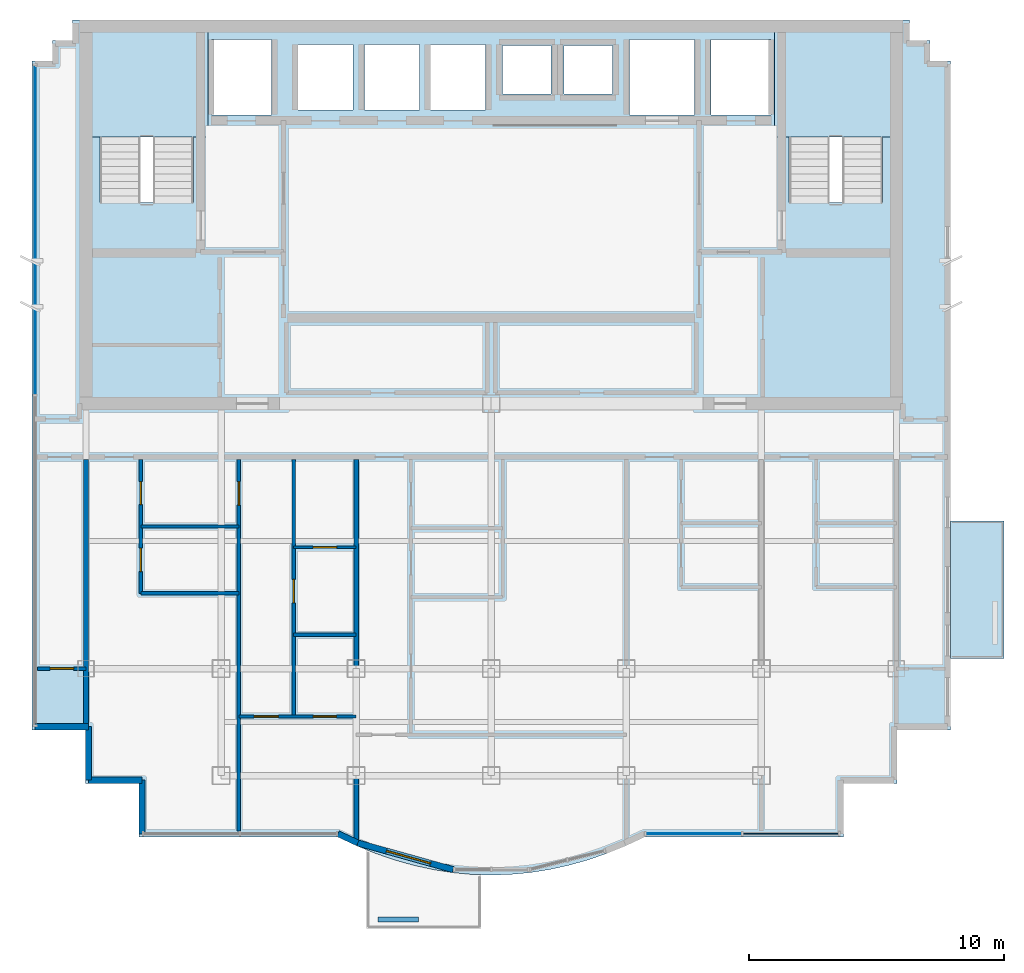
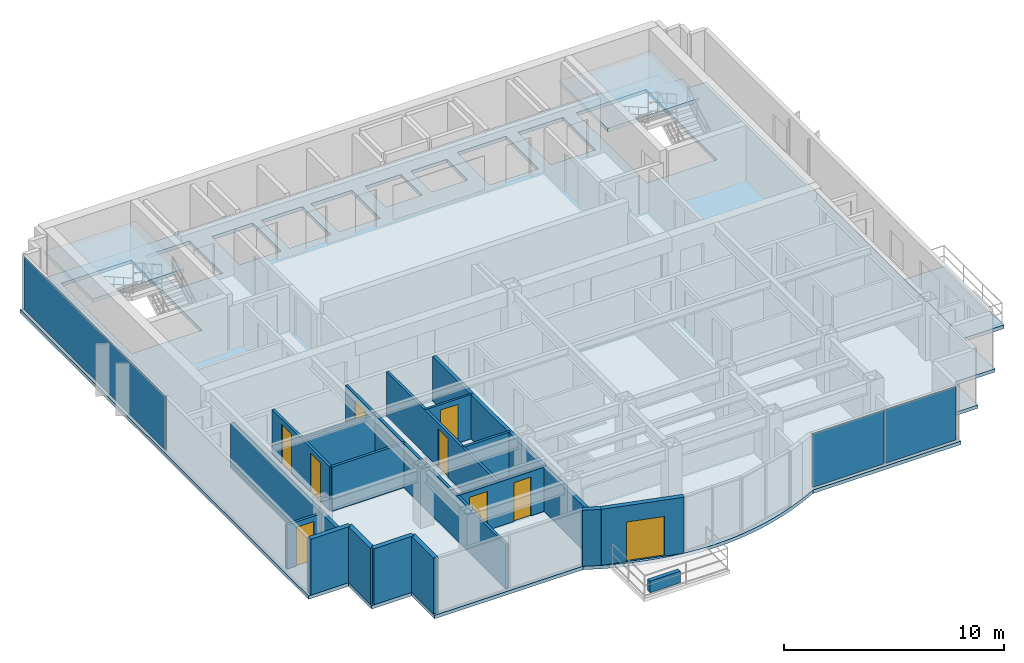
# One storey, part 4 of 9: 18 walls, 9 doors, 4 slabs, 3 plates, 9 openings, 4 elements without a shape of their own.
"""IFC4 building model written with IfcOpenShell, lengths in metres."""

from ifc_helpers import new_model, si_unit, direction, frame, frame_2d, origin, origin_2d, place, context, subcontext, project, spatial, polyline, rectangle, outline, extrude, source, transform, mapped, material, layer, layer_set, type_object, element, fill, aggregate, save


model = new_model("IFC4")

# Units and contexts
model_context = context("Model", 3, precision=1e-05, world=origin(), true_north=direction((0.0, 1.0)))
body_context = subcontext(model_context, "Body", "Model", "MODEL_VIEW")
ifc_project = project(units=[si_unit("LENGTHUNIT", "METRE"), si_unit("AREAUNIT", "SQUARE_METRE"), si_unit("VOLUMEUNIT", "CUBIC_METRE"), si_unit("PLANEANGLEUNIT", "RADIAN"), si_unit("MASSUNIT", "GRAM", prefix="KILO")], contexts=[model_context])

# Site, building, storey
site_placement = place(None, origin())
site = spatial("IfcSite", under=ifc_project, at=site_placement, CompositionType="ELEMENT")
building_placement = place(site_placement, origin())
building = spatial("IfcBuilding", under=site, at=building_placement, Name="Qianlan Lanfeng Residences", CompositionType="ELEMENT")
storey_placement = place(building_placement, frame((0.0, 0.0, 242.89990234375)))
storey = spatial("IfcBuildingStorey", under=building, at=storey_placement, Name="L67", CompositionType="ELEMENT", Elevation=242.89990234375)

# Slabs
ifc_material_1 = material(Name="Concrete C42", Category="concrete")
ifc_layer_1 = layer(ifc_material_1, 0.199951171875)
ifc_layer_set_1 = layer_set([ifc_layer_1], Name="Concrete C42")
slab_type_1 = type_object("IfcSlabType", Name="S-BAL-200", PredefinedType="FLOOR", material=ifc_layer_set_1)
slab_1_placement = place(storey_placement, frame((0.0, 0.0, -0.199951171875)))
element("IfcSlab", 1, at=slab_1_placement, inside=storey, type_object=slab_type_1, Name="L67 Planted Tree Balcony Slab EB-S", PredefinedType="FLOOR", context=body_context, shape_type="SweptSolid", body=[
    extrude(outline(polyline([(44.52001953125, 20.60009765625), (44.52001953125, 15.199951171875), (46.6201171875, 15.199951171875), (46.6201171875, 20.60009765625), (44.52001953125, 20.60009765625)])), origin(), (0.0, 0.0, 1.0), 0.199951171875),
])
ifc_layer_2 = layer(ifc_material_1, 0.18994140625)
ifc_layer_set_2 = layer_set([ifc_layer_2], Name="Concrete C42")
slab_type_2 = type_object("IfcSlabType", Name="S-FL-190", PredefinedType="FLOOR", material=ifc_layer_set_2)
slab_2_placement = place(storey_placement, frame((0.0, 0.0, -0.18994140625)))
element("IfcSlab", 2, at=slab_2_placement, inside=storey, type_object=slab_type_2, Name="L67 Structural Floor Slab", PredefinedType="FLOOR", context=body_context, shape_type="SweptSolid", body=[
    extrude(outline(polyline([(8.47998046875, 12.39990234375), (10.580078125, 12.39990234375), (10.580078125, 10.300048828125), (12.679931640625, 10.300048828125), (12.679931640625, 8.199951171875), (20.4599609375, 8.199951171875), (21.215087890625, 7.847900390625), (21.969970703125, 7.5439453125), (22.72509765625, 7.285888671875), (23.47998046875, 7.074951171875), (24.235107421875, 6.910888671875), (24.989990234375, 6.7939453125), (25.7451171875, 6.722900390625), (26.5, 6.699951171875), (27.2548828125, 6.722900390625), (28.010009765625, 6.7939453125), (28.764892578125, 6.910888671875), (29.52001953125, 7.074951171875), (30.27490234375, 7.285888671875), (31.030029296875, 7.5439453125), (31.784912109375, 7.847900390625), (32.5400390625, 8.199951171875), (40.320068359375, 8.199951171875), (40.320068359375, 10.300048828125), (42.419921875, 10.300048828125), (42.419921875, 12.39990234375), (44.52001953125, 12.39990234375), (44.52001953125, 38.64990234375), (43.719970703125, 38.64990234375), (43.719970703125, 39.449951171875), (42.919921875, 39.449951171875), (42.919921875, 40.25), (10.080078125, 40.25), (10.080078125, 39.449951171875), (9.280029296875, 39.449951171875), (9.280029296875, 38.64990234375), (8.47998046875, 38.64990234375), (8.47998046875, 12.39990234375)]), holes=[polyline([(11.139892578125, 33.080078125), (11.139892578125, 39.5), (14.820068359375, 39.5), (14.820068359375, 33.080078125), (11.139892578125, 33.080078125)]), polyline([(38.179931640625, 33.080078125), (38.179931640625, 39.5), (41.860107421875, 39.5), (41.860107421875, 33.080078125), (38.179931640625, 33.080078125)]), polyline([(15.52001953125, 36.52001953125), (15.52001953125, 39.47998046875), (17.8798828125, 39.47998046875), (17.8798828125, 36.52001953125), (15.52001953125, 36.52001953125)]), polyline([(35.1201171875, 36.52001953125), (35.1201171875, 39.47998046875), (37.47998046875, 39.47998046875), (37.47998046875, 36.52001953125), (35.1201171875, 36.52001953125)]), polyline([(31.919921875, 36.52001953125), (31.919921875, 39.47998046875), (34.47998046875, 39.47998046875), (34.47998046875, 36.52001953125), (31.919921875, 36.52001953125)]), polyline([(18.919921875, 36.719970703125), (18.919921875, 39.280029296875), (21.080078125, 39.280029296875), (21.080078125, 36.719970703125), (18.919921875, 36.719970703125)]), polyline([(21.52001953125, 36.719970703125), (21.52001953125, 39.280029296875), (23.679931640625, 39.280029296875), (23.679931640625, 36.719970703125), (21.52001953125, 36.719970703125)]), polyline([(24.1201171875, 36.719970703125), (24.1201171875, 39.280029296875), (26.280029296875, 39.280029296875), (26.280029296875, 36.719970703125), (24.1201171875, 36.719970703125)]), polyline([(26.949951171875, 37.35009765625), (26.949951171875, 39.25), (28.85009765625, 39.25), (28.85009765625, 37.35009765625), (26.949951171875, 37.35009765625)]), polyline([(29.35009765625, 37.35009765625), (29.35009765625, 39.25), (31.25, 39.25), (31.25, 37.35009765625), (29.35009765625, 37.35009765625)])]), origin(), (0.0, 0.0, 1.0), 0.18994140625),
])

# Stair, slab
stair_type = type_object("IfcStairType", Name="STR-MAIN", PredefinedType="HALF_TURN_STAIR", material=ifc_material_1)
stair_1_placement = place(storey_placement, origin())
stair_1 = element("IfcStair", 3, at=stair_1_placement, inside=storey, type_object=stair_type, Name="L67 Exit Stair ST-1", PredefinedType="HALF_TURN_STAIR")
ifc_layer_3 = layer(ifc_material_1, 0.179931640625)
ifc_layer_set_3 = layer_set([ifc_layer_3], Name="Concrete C42")
slab_type_3 = type_object("IfcSlabType", Name="S-LND-180", PredefinedType="LANDING", material=ifc_layer_set_3)
slab_3_placement = place(storey_placement, frame((0.0, 0.0, 1.4501953125)))
slab_3 = element("IfcSlab", 4, at=slab_3_placement, type_object=slab_type_3, Name="ST-1 landing 1", PredefinedType="LANDING", context=body_context, shape_type="SweptSolid", body=[
    extrude(outline(polyline([(10.580078125, 35.659912109375), (15.3798828125, 35.659912109375), (15.3798828125, 40.050048828125), (10.580078125, 40.050048828125), (10.580078125, 35.659912109375)])), origin(), (0.0, 0.0, 1.0), 0.199951171875),
])
aggregate(stair_1, [slab_3])

stair_2_placement = place(storey_placement, origin())
stair_2 = element("IfcStair", 5, at=stair_2_placement, inside=storey, type_object=stair_type, Name="L67 Exit Stair ST-2", PredefinedType="HALF_TURN_STAIR")
slab_4_placement = place(storey_placement, frame((0.0, 0.0, 1.4501953125)))
slab_4 = element("IfcSlab", 6, at=slab_4_placement, type_object=slab_type_3, Name="ST-2 landing 1", PredefinedType="LANDING", context=body_context, shape_type="SweptSolid", body=[
    extrude(outline(polyline([(37.6201171875, 35.659912109375), (42.419921875, 35.659912109375), (42.419921875, 40.050048828125), (37.6201171875, 40.050048828125), (37.6201171875, 35.659912109375)])), origin(), (0.0, 0.0, 1.0), 0.199951171875),
])
aggregate(stair_2, [slab_4])

# Curtain wall, plates
ifc_material_2 = material(Name="Anodised Bronze Aluminium 6063-T6", Category="aluminium")
ifc_layer_4 = layer(ifc_material_2, 0.219970703125)
ifc_layer_set_4 = layer_set([ifc_layer_4], Name="Anodised Bronze Aluminium 6063-T6")
curtain_wall_type = type_object("IfcCurtainWallType", Name="CW-06", PredefinedType="NOTDEFINED", material=ifc_layer_set_4)
curtain_wall_1_placement = place(storey_placement, origin())
curtain_wall_1 = element("IfcCurtainWall", 7, at=curtain_wall_1_placement, inside=storey, type_object=curtain_wall_type, Name="L67 Unitised Curtain Wall CWR-L67-04 (CW-06)", PredefinedType="NOTDEFINED")
ifc_material_3 = material(Name="Dark Bronze Tinted Insulated Glass", Category="glass")
ifc_layer_5 = layer(ifc_material_3, 0.0380859375)
ifc_layer_set_5 = layer_set([ifc_layer_5], Name="Dark Bronze Tinted Insulated Glass")
plate_type_1 = type_object("IfcPlateType", Name="PNL-GLZ-BRZ", PredefinedType="CURTAIN_PANEL", material=ifc_layer_set_5)
shared_shape_1 = source(origin(), body_context, "Body", "SweptSolid", [
    extrude(rectangle(XDim=3.73291015625, YDim=0.0380859375, at=origin_2d()), origin(), (0.0, 0.0, 1.0), 2.9619140625),
])
plate_1_placement = place(storey_placement, frame((34.45361328125, 8.320068359375, 0.07421875), z_axis=(0.0, 0.0, 1.0), x_axis=(1.0, 0.0, 0.0)))
plate_1 = element("IfcPlate", 8, at=plate_1_placement, type_object=plate_type_1, Name="CWR-L67-04 Curtain Panel 1", PredefinedType="CURTAIN_PANEL", context=body_context, shape_type="MappedRepresentation", body=[
    mapped(shared_shape_1, transform((0.0, 0.0, 0.0), scale=1.0)),
])
ifc_material_4 = material(Name="Perforated Anodised Bronze Aluminium Panel", Category="aluminium")
ifc_layer_6 = layer(ifc_material_4, 0.0419921875)
ifc_layer_set_6 = layer_set([ifc_layer_6], Name="Perforated Anodised Bronze Aluminium Panel")
plate_type_2 = type_object("IfcPlateType", Name="PNL-PRF-BRZ", PredefinedType="CURTAIN_PANEL", material=ifc_layer_set_6)
shared_shape_2 = source(origin(), body_context, "Body", "SweptSolid", [
    extrude(rectangle(XDim=3.73291015625, YDim=0.0419921875, at=origin_2d()), origin(), (0.0, 0.0, 1.0), 2.9619140625),
])
plate_2_placement = place(storey_placement, frame((38.259521484375, 8.320068359375, 0.07421875), z_axis=(0.0, 0.0, 1.0), x_axis=(1.0, 0.0, 0.0)))
plate_2 = element("IfcPlate", 9, at=plate_2_placement, type_object=plate_type_2, Name="CWR-L67-04 Curtain Panel 2", PredefinedType="CURTAIN_PANEL", context=body_context, shape_type="MappedRepresentation", body=[
    mapped(shared_shape_2, transform((0.0, 0.0, 0.0), scale=1.0)),
])
aggregate(curtain_wall_1, [plate_1, plate_2])

# Curtain wall, plate
curtain_wall_2_placement = place(storey_placement, origin())
curtain_wall_2 = element("IfcCurtainWall", 10, at=curtain_wall_2_placement, inside=storey, type_object=curtain_wall_type, Name="L67 Unitised Curtain Wall CWR-L67-05 (CW-06)", PredefinedType="NOTDEFINED")
shared_shape_3 = source(origin(), body_context, "Body", "SweptSolid", [
    extrude(rectangle(XDim=12.89453125, YDim=0.0380859375, at=origin_2d()), origin(), (0.0, 0.0, 1.0), 2.9619140625),
])
plate_3_placement = place(storey_placement, frame((8.60009765625, 32.0087890625, 0.07421875), z_axis=(0.0, 0.0, 1.0), x_axis=(0.0, -1.0, 0.0)))
plate_3 = element("IfcPlate", 11, at=plate_3_placement, type_object=plate_type_1, Name="CWR-L67-05 Curtain Panel 1", PredefinedType="CURTAIN_PANEL", context=body_context, shape_type="MappedRepresentation", body=[
    mapped(shared_shape_3, transform((0.0, 0.0, 0.0), scale=1.0)),
])
aggregate(curtain_wall_2, [plate_3])

# Walls
ifc_layer_7 = layer(ifc_material_1, 0.239990234375)
ifc_layer_set_7 = layer_set([ifc_layer_7], Name="Concrete C42")
wall_type_1 = type_object("IfcWallType", Name="EW-240", PredefinedType="SOLIDWALL", material=ifc_layer_set_7)
wall_1_placement = place(storey_placement, frame((8.60009765625, 12.52001953125, 0.0), z_axis=(0.0, 0.0, 1.0), x_axis=(1.0, 0.0, 0.0)))
element("IfcWall", 12, at=wall_1_placement, inside=storey, type_object=wall_type_1, Name="L67 Exterior Facade Spandrel Wall 1", PredefinedType="SOLIDWALL", context=body_context, shape_type="SweptSolid", body=[
    extrude(rectangle(XDim=2.099853515625, YDim=0.239990234375, at=frame_2d((1.0498046875, 0.0))), origin(), (0.0, 0.0, 1.0), 3.110107421875),
])
for number, where, z_axis, x_axis, name in (
    (13, (10.699951171875, 12.52001953125, 0.0), (0.0, 0.0, 1.0), (0.0, -1.0, 0.0), "L67 Exterior Facade Spandrel Wall 2"),
    (14, (10.699951171875, 10.419921875, 0.0), (0.0, 0.0, 1.0), (1.0, 0.0, 0.0), "L67 Exterior Facade Spandrel Wall 3"),
):
    element("IfcWall", number, at=place(storey_placement, frame(where, z_axis=z_axis, x_axis=x_axis)), inside=storey, type_object=wall_type_1, Name=name, PredefinedType="SOLIDWALL", context=body_context, shape_type="SweptSolid", body=[
        extrude(rectangle(XDim=2.10009765625, YDim=0.239990234375, at=frame_2d((1.050048828125, 0.0))), origin(), (0.0, 0.0, 1.0), 3.110107421875),
    ])
wall_2_placement = place(storey_placement, frame((12.800048828125, 10.419921875, 0.0), z_axis=(0.0, 0.0, 1.0), x_axis=(0.0, -1.0, 0.0)))
element("IfcWall", 15, at=wall_2_placement, inside=storey, type_object=wall_type_1, Name="L67 Exterior Facade Spandrel Wall 4", PredefinedType="SOLIDWALL", context=body_context, shape_type="SweptSolid", body=[
    extrude(rectangle(XDim=2.099853515625, YDim=0.239990234375, at=frame_2d((1.0498046875, 0.0))), origin(), (0.0, 0.0, 1.0), 3.110107421875),
])
wall_3_placement = place(storey_placement, frame((20.487060546875, 8.320068359375, 0.0), z_axis=(0.0, 0.0, 1.0), x_axis=(0.906190424584, -0.422869855147, 0.0)))
element("IfcWall", 16, at=wall_3_placement, inside=storey, type_object=wall_type_1, Name="L67 Exterior Facade Spandrel Wall 5", PredefinedType="SOLIDWALL", context=body_context, shape_type="SweptSolid", body=[
    extrude(rectangle(XDim=0.856201171875, YDim=0.239990234375, at=frame_2d((0.42822265625, 0.0))), origin(), (0.0, 0.0, 1.0), 3.110107421875),
])

# Wall, opening, door
wall_4_placement = place(storey_placement, frame((21.262939453125, 7.9580078125, 0.0), z_axis=(0.0, 0.0, 1.0), x_axis=(0.963152398068, -0.268956238255, 0.0)))
wall_4 = element("IfcWall", 17, at=wall_4_placement, inside=storey, type_object=wall_type_1, Name="L67 Terrace/Balcony Access Exterior Wall 6", PredefinedType="SOLIDWALL", context=body_context, shape_type="SweptSolid", body=[
    extrude(rectangle(XDim=3.885009765625, YDim=0.239990234375, at=frame_2d((1.9423828125, 0.0))), origin(), (0.0, 0.0, 1.0), 3.110107421875),
])
opening_1_placement = place(wall_4_placement, frame((1.1689453125, 0.0, 0.0)))
opening_1 = element("IfcOpeningElement", 18, at=opening_1_placement, cuts=wall_4, Name="Opening L67-D-SB-C", PredefinedType="OPENING", context=body_context, shape_type="SweptSolid", body=[
    extrude(rectangle(XDim=1.800048828125, YDim=2.199951171875, at=frame_2d((0.89990234375, 1.10009765625))), frame((0.0, 0.1298828125, 0.0), z_axis=(0.0, -1.0, 0.0), x_axis=(1.0, 0.0, 0.0)), (0.0, 0.0, 1.0), 0.260009765625),
])
ifc_material_5 = material(Name="Anodised Bronze Aluminium Framed Glass", Category="aluminium")
door_type_1 = type_object("IfcDoorType", Name="DT-BAL1", OperationType="NOTDEFINED", PredefinedType="DOOR", material=ifc_material_5)
door_1_placement = place(opening_1_placement, frame((1.800048828125, 0.0, 0.0), z_axis=(0.0, 0.0, 1.0), x_axis=(-1.0, 0.0, 0.0)))
door_1 = element("IfcDoor", 19, at=door_1_placement, inside=storey, type_object=door_type_1, Name="L67 Exterior Access Door SB-C", OperationType="DOUBLE_DOOR_SLIDING", OverallHeight=2.199951171875, OverallWidth=1.800048828125, PredefinedType="DOOR", context=body_context, shape_type="SweptSolid", body=[
    extrude(rectangle(XDim=1.800048828125, YDim=2.199951171875, at=frame_2d((0.89990234375, 1.10009765625))), frame((0.0, 0.02490234375, 0.0), z_axis=(0.0, -1.0, 0.0), x_axis=(1.0, 0.0, 0.0)), (0.0, 0.0, 1.0), 0.050048828125),
])
fill(opening_1, door_1)

# Wall
ifc_layer_8 = layer(ifc_material_1, 0.199951171875)
ifc_layer_set_8 = layer_set([ifc_layer_8], Name="Concrete C42")
wall_type_2 = type_object("IfcWallType", Name="PL-TREE-200", PredefinedType="PARAPET", material=ifc_layer_set_8)
wall_5_placement = place(storey_placement, frame((22.050048828125, 4.949951171875, 0.0), z_axis=(0.0, 0.0, 1.0), x_axis=(1.0, 0.0, 0.0)))
element("IfcWall", 20, at=wall_5_placement, inside=storey, type_object=wall_type_2, Name="L67 Balcony Tree Planter Curb SB-C", PredefinedType="PARAPET", context=body_context, shape_type="SweptSolid", body=[
    extrude(rectangle(XDim=1.599853515625, YDim=0.199951171875, at=frame_2d((0.7998046875, 0.0))), origin(), (0.0, 0.0, 1.0), 0.650146484375),
])

# Wall, opening, door
ifc_material_6 = material(Name="Demountable Acoustic Framing Partition 110 mm")
ifc_layer_9 = layer(ifc_material_6, 0.110107421875)
ifc_layer_set_9 = layer_set([ifc_layer_9], Name="Demountable Acoustic Framing Partition 110 mm")
wall_type_3 = type_object("IfcWallType", Name="PW-110", PredefinedType="MOVABLE", material=ifc_layer_set_9)
wall_6_placement = place(storey_placement, frame((18.75, 19.56005859375, 0.0), z_axis=(0.0, 0.0, 1.0), x_axis=(1.0, 0.0, 0.0)))
wall_6 = element("IfcWall", 21, at=wall_6_placement, inside=storey, type_object=wall_type_3, Name="L67 U01 Wardrobe Split", PredefinedType="MOVABLE", context=body_context, shape_type="SweptSolid", body=[
    extrude(rectangle(XDim=2.449951171875, YDim=0.110107421875, at=frame_2d((1.22509765625, 0.0))), origin(), (0.0, 0.0, 1.0), 2.4501953125),
])
opening_2_placement = place(wall_6_placement, frame((0.764892578125, 0.0, 0.0)))
opening_2 = element("IfcOpeningElement", 22, at=opening_2_placement, cuts=wall_6, Name="Opening L67-D23", PredefinedType="OPENING", context=body_context, shape_type="SweptSolid", body=[
    extrude(rectangle(XDim=0.919921875, YDim=2.14990234375, at=frame_2d((0.4599609375, 1.074951171875))), frame((0.0, 0.06494140625, 0.0), z_axis=(0.0, -1.0, 0.0), x_axis=(1.0, 0.0, 0.0)), (0.0, 0.0, 1.0), 0.130126953125),
])
ifc_material_7 = material(Name="Glazed Timber Kitchen/Study Door", Category="wood")
door_type_2 = type_object("IfcDoorType", Name="DT-INT", OperationType="NOTDEFINED", PredefinedType="DOOR", material=ifc_material_7)
door_2_placement = place(opening_2_placement, origin())
door_2 = element("IfcDoor", 23, at=door_2_placement, inside=storey, type_object=door_type_2, Name="L67 U01 Dressing Inner Door L67-D23 (DT-INT)", OperationType="SINGLE_SWING_RIGHT", OverallHeight=2.14990234375, OverallWidth=0.919921875, PredefinedType="DOOR", context=body_context, shape_type="SweptSolid", body=[
    extrude(rectangle(XDim=0.919921875, YDim=2.14990234375, at=frame_2d((0.4599609375, 1.074951171875))), frame((0.0, 0.02490234375, 0.0), z_axis=(0.0, -1.0, 0.0), x_axis=(1.0, 0.0, 0.0)), (0.0, 0.0, 1.0), 0.050048828125),
])
fill(opening_2, door_2)

ifc_material_8 = material(Name="Moisture-Resistant Gypsum Partition 135 mm")
ifc_layer_10 = layer(ifc_material_8, 0.135009765625)
ifc_layer_set_10 = layer_set([ifc_layer_10], Name="Moisture-Resistant Gypsum Partition 135 mm")
wall_type_4 = type_object("IfcWallType", Name="PW-135", PredefinedType="PARTITIONING", material=ifc_layer_set_10)
wall_7_placement = place(storey_placement, frame((16.60009765625, 8.419921875, 0.0), z_axis=(0.0, 0.0, 1.0), x_axis=(0.0, 1.0, 0.0)))
wall_7 = element("IfcWall", 24, at=wall_7_placement, inside=storey, type_object=wall_type_4, Name="L67 U01 Bay Spine Wall 1", PredefinedType="PARTITIONING", context=body_context, shape_type="SweptSolid", body=[
    extrude(rectangle(XDim=14.580078125, YDim=0.135009765625, at=frame_2d((7.2900390625, 0.0))), origin(), (0.0, 0.0, 1.0), 2.4501953125),
])
opening_3_placement = place(wall_7_placement, frame((12.794921875, 0.0, 0.0)))
opening_3 = element("IfcOpeningElement", 25, at=opening_3_placement, cuts=wall_7, Name="Opening L67-D17", PredefinedType="OPENING", context=body_context, shape_type="SweptSolid", body=[
    extrude(rectangle(XDim=0.919921875, YDim=2.14990234375, at=frame_2d((0.4599609375, 1.074951171875))), frame((0.0, 0.07763671875, 0.0), z_axis=(0.0, -1.0, 0.0), x_axis=(1.0, 0.0, 0.0)), (0.0, 0.0, 1.0), 0.155029296875),
])
door_3_placement = place(opening_3_placement, origin())
door_3 = element("IfcDoor", 26, at=door_3_placement, inside=storey, type_object=door_type_2, Name="L67 U01 Internal Hall Door L67-D17 (DT-INT)", OperationType="SINGLE_SWING_LEFT", OverallHeight=2.14990234375, OverallWidth=0.919921875, PredefinedType="DOOR", context=body_context, shape_type="SweptSolid", body=[
    extrude(rectangle(XDim=0.919921875, YDim=2.14990234375, at=frame_2d((0.4599609375, 1.074951171875))), frame((0.0, 0.02490234375, 0.0), z_axis=(0.0, -1.0, 0.0), x_axis=(1.0, 0.0, 0.0)), (0.0, 0.0, 1.0), 0.050048828125),
])
fill(opening_3, door_3)

# Wall, openings, doors
wall_8_placement = place(storey_placement, frame((12.75, 17.7529296875, 0.0), z_axis=(0.0, 0.0, 1.0), x_axis=(0.0, 1.0, 0.0)))
wall_8 = element("IfcWall", 27, at=wall_8_placement, inside=storey, type_object=wall_type_4, Name="L67 U01 Wet Stack Spine", PredefinedType="PARTITIONING", context=body_context, shape_type="SweptSolid", body=[
    extrude(rectangle(XDim=5.2470703125, YDim=0.135009765625, at=frame_2d((2.62353515625, 0.0))), origin(), (0.0, 0.0, 1.0), 2.4501953125),
])
opening_4_placement = place(wall_8_placement, frame((0.85205078125, 0.0, 0.0)))
opening_4 = element("IfcOpeningElement", 28, at=opening_4_placement, cuts=wall_8, Name="Opening L67-D18", PredefinedType="OPENING", context=body_context, shape_type="SweptSolid", body=[
    extrude(rectangle(XDim=0.919921875, YDim=2.14990234375, at=frame_2d((0.4599609375, 1.074951171875))), frame((0.0, 0.07763671875, 0.0), z_axis=(0.0, -1.0, 0.0), x_axis=(1.0, 0.0, 0.0)), (0.0, 0.0, 1.0), 0.155029296875),
])
opening_5_placement = place(wall_8_placement, frame((3.486083984375, 0.0, 0.0)))
opening_5 = element("IfcOpeningElement", 29, at=opening_5_placement, cuts=wall_8, Name="Opening L67-D19", PredefinedType="OPENING", context=body_context, shape_type="SweptSolid", body=[
    extrude(rectangle(XDim=0.89990234375, YDim=2.14990234375, at=frame_2d((0.449951171875, 1.074951171875))), frame((0.0, 0.07763671875, 0.0), z_axis=(0.0, -1.0, 0.0), x_axis=(1.0, 0.0, 0.0)), (0.0, 0.0, 1.0), 0.155029296875),
])
door_4_placement = place(opening_4_placement, origin())
door_4 = element("IfcDoor", 30, at=door_4_placement, inside=storey, type_object=door_type_2, Name="L67 U01 Kitchen Door L67-D18 (DT-INT)", OperationType="SINGLE_SWING_RIGHT", OverallHeight=2.14990234375, OverallWidth=0.919921875, PredefinedType="DOOR", context=body_context, shape_type="SweptSolid", body=[
    extrude(rectangle(XDim=0.919921875, YDim=2.14990234375, at=frame_2d((0.4599609375, 1.074951171875))), frame((0.0, 0.02490234375, 0.0), z_axis=(0.0, -1.0, 0.0), x_axis=(1.0, 0.0, 0.0)), (0.0, 0.0, 1.0), 0.050048828125),
])
fill(opening_4, door_4)
ifc_material_9 = material(Name="Moisture-Resistant Timber Leaf", Category="wood")
door_type_3 = type_object("IfcDoorType", Name="DT-WC", OperationType="NOTDEFINED", PredefinedType="DOOR", material=ifc_material_9)
door_5_placement = place(opening_5_placement, origin())
door_5 = element("IfcDoor", 31, at=door_5_placement, inside=storey, type_object=door_type_3, Name="L67 U01 Bathroom Door L67-D19 (DT-WC)", OperationType="SINGLE_SWING_LEFT", OverallHeight=2.14990234375, OverallWidth=0.89990234375, PredefinedType="DOOR", context=body_context, shape_type="SweptSolid", body=[
    extrude(rectangle(XDim=0.89990234375, YDim=2.14990234375, at=frame_2d((0.449951171875, 1.074951171875))), frame((0.0, 0.02490234375, 0.0), z_axis=(0.0, -1.0, 0.0), x_axis=(1.0, 0.0, 0.0)), (0.0, 0.0, 1.0), 0.050048828125),
])
fill(opening_5, door_5)

# Walls
for number, where, z_axis, x_axis, name in (
    (32, (12.75, 17.7529296875, 0.0), (0.0, 0.0, 1.0), (1.0, 0.0, 0.0), "L67 U01 Kitchen South Wall"),
    (33, (12.75, 20.376953125, 0.0), (0.0, 0.0, 1.0), (1.0, 0.0, 0.0), "L67 U01 Bathroom South Wall"),
):
    element("IfcWall", number, at=place(storey_placement, frame(where, z_axis=z_axis, x_axis=x_axis)), inside=storey, type_object=wall_type_4, Name=name, PredefinedType="PARTITIONING", context=body_context, shape_type="SweptSolid", body=[
        extrude(rectangle(XDim=3.85009765625, YDim=0.135009765625, at=frame_2d((1.925048828125, 0.0))), origin(), (0.0, 0.0, 1.0), 2.4501953125),
    ])

# Wall, openings, doors
wall_9_placement = place(storey_placement, frame((16.60009765625, 12.919921875, 0.0), z_axis=(0.0, 0.0, 1.0), x_axis=(1.0, 0.0, 0.0)))
wall_9 = element("IfcWall", 34, at=wall_9_placement, inside=storey, type_object=wall_type_4, Name="L67 U01 Master Bedroom North Wall", PredefinedType="PARTITIONING", context=body_context, shape_type="SweptSolid", body=[
    extrude(rectangle(XDim=4.599853515625, YDim=0.135009765625, at=frame_2d((2.2998046875, 0.0))), origin(), (0.0, 0.0, 1.0), 2.4501953125),
])
opening_6_placement = place(wall_9_placement, frame((0.60009765625, 0.0, 0.0)))
opening_6 = element("IfcOpeningElement", 35, at=opening_6_placement, cuts=wall_9, Name="Opening L67-D20", PredefinedType="OPENING", context=body_context, shape_type="SweptSolid", body=[
    extrude(rectangle(XDim=0.949951171875, YDim=2.14990234375, at=frame_2d((0.47509765625, 1.074951171875))), frame((0.0, 0.07763671875, 0.0), z_axis=(0.0, -1.0, 0.0), x_axis=(1.0, 0.0, 0.0)), (0.0, 0.0, 1.0), 0.155029296875),
])
opening_7_placement = place(wall_9_placement, frame((2.925048828125, 0.0, 0.0)))
opening_7 = element("IfcOpeningElement", 36, at=opening_7_placement, cuts=wall_9, Name="Opening L67-D21", PredefinedType="OPENING", context=body_context, shape_type="SweptSolid", body=[
    extrude(rectangle(XDim=0.89990234375, YDim=2.14990234375, at=frame_2d((0.449951171875, 1.074951171875))), frame((0.0, 0.07763671875, 0.0), z_axis=(0.0, -1.0, 0.0), x_axis=(1.0, 0.0, 0.0)), (0.0, 0.0, 1.0), 0.155029296875),
])
ifc_material_10 = material(Name="Painted Solid-Core Timber Leaf", Category="wood")
door_type_4 = type_object("IfcDoorType", Name="DT-BED", OperationType="NOTDEFINED", PredefinedType="DOOR", material=ifc_material_10)
door_6_placement = place(opening_6_placement, frame((0.949951171875, 0.0, 0.0), z_axis=(0.0, 0.0, 1.0), x_axis=(-1.0, 0.0, 0.0)))
door_6 = element("IfcDoor", 37, at=door_6_placement, inside=storey, type_object=door_type_4, Name="L67 U01 Master Bedroom Door L67-D20 (DT-BED)", OperationType="SINGLE_SWING_RIGHT", OverallHeight=2.14990234375, OverallWidth=0.949951171875, PredefinedType="DOOR", context=body_context, shape_type="SweptSolid", body=[
    extrude(rectangle(XDim=0.949951171875, YDim=2.14990234375, at=frame_2d((0.47509765625, 1.074951171875))), frame((0.0, 0.02490234375, 0.0), z_axis=(0.0, -1.0, 0.0), x_axis=(1.0, 0.0, 0.0)), (0.0, 0.0, 1.0), 0.050048828125),
])
fill(opening_6, door_6)
door_7_placement = place(opening_7_placement, frame((0.89990234375, 0.0, 0.0), z_axis=(0.0, 0.0, 1.0), x_axis=(-1.0, 0.0, 0.0)))
door_7 = element("IfcDoor", 38, at=door_7_placement, inside=storey, type_object=door_type_3, Name="L67 U01 En-Suite Bathroom Door L67-D21 (DT-WC)", OperationType="SINGLE_SWING_RIGHT", OverallHeight=2.14990234375, OverallWidth=0.89990234375, PredefinedType="DOOR", context=body_context, shape_type="SweptSolid", body=[
    extrude(rectangle(XDim=0.89990234375, YDim=2.14990234375, at=frame_2d((0.449951171875, 1.074951171875))), frame((0.0, 0.02490234375, 0.0), z_axis=(0.0, -1.0, 0.0), x_axis=(1.0, 0.0, 0.0)), (0.0, 0.0, 1.0), 0.050048828125),
])
fill(opening_7, door_7)

# Wall, opening, door
wall_10_placement = place(storey_placement, frame((18.75, 12.919921875, 0.0), z_axis=(0.0, 0.0, 1.0), x_axis=(0.0, 1.0, 0.0)))
wall_10 = element("IfcWall", 39, at=wall_10_placement, inside=storey, type_object=wall_type_4, Name="L67 U01 Master Passage Wall", PredefinedType="PARTITIONING", context=body_context, shape_type="SweptSolid", body=[
    extrude(rectangle(XDim=10.080078125, YDim=0.135009765625, at=frame_2d((5.0400390625, 0.0))), origin(), (0.0, 0.0, 1.0), 2.4501953125),
])
opening_8_placement = place(wall_10_placement, frame((4.4599609375, 0.0, 0.0)))
opening_8 = element("IfcOpeningElement", 40, at=opening_8_placement, cuts=wall_10, Name="Opening L67-D22", PredefinedType="OPENING", context=body_context, shape_type="SweptSolid", body=[
    extrude(rectangle(XDim=0.919921875, YDim=2.14990234375, at=frame_2d((0.4599609375, 1.074951171875))), frame((0.0, 0.07763671875, 0.0), z_axis=(0.0, -1.0, 0.0), x_axis=(1.0, 0.0, 0.0)), (0.0, 0.0, 1.0), 0.155029296875),
])
door_8_placement = place(opening_8_placement, origin())
door_8 = element("IfcDoor", 41, at=door_8_placement, inside=storey, type_object=door_type_2, Name="L67 U01 Wardrobe Door L67-D22 (DT-INT)", OperationType="SINGLE_SWING_RIGHT", OverallHeight=2.14990234375, OverallWidth=0.919921875, PredefinedType="DOOR", context=body_context, shape_type="SweptSolid", body=[
    extrude(rectangle(XDim=0.919921875, YDim=2.14990234375, at=frame_2d((0.4599609375, 1.074951171875))), frame((0.0, 0.02490234375, 0.0), z_axis=(0.0, -1.0, 0.0), x_axis=(1.0, 0.0, 0.0)), (0.0, 0.0, 1.0), 0.050048828125),
])
fill(opening_8, door_8)

# Wall
wall_11_placement = place(storey_placement, frame((18.75, 16.1201171875, 0.0), z_axis=(0.0, 0.0, 1.0), x_axis=(1.0, 0.0, 0.0)))
element("IfcWall", 42, at=wall_11_placement, inside=storey, type_object=wall_type_4, Name="L67 U01 En-Suite North Wall", PredefinedType="PARTITIONING", context=body_context, shape_type="SweptSolid", body=[
    extrude(rectangle(XDim=2.449951171875, YDim=0.135009765625, at=frame_2d((1.22509765625, 0.0))), origin(), (0.0, 0.0, 1.0), 2.4501953125),
])

# Wall, opening, door
wall_12_placement = place(storey_placement, frame((8.699951171875, 14.800048828125, 0.0), z_axis=(0.0, 0.0, 1.0), x_axis=(1.0, 0.0, 0.0)))
wall_12 = element("IfcWall", 43, at=wall_12_placement, inside=storey, type_object=wall_type_4, Name="L67 SWP Mid Partition", PredefinedType="PARTITIONING", context=body_context, shape_type="SweptSolid", body=[
    extrude(rectangle(XDim=1.900146484375, YDim=0.135009765625, at=frame_2d((0.9501953125, 0.0))), origin(), (0.0, 0.0, 1.0), 2.4501953125),
])
opening_9_placement = place(wall_12_placement, frame((0.489990234375, 0.0, 0.0)))
opening_9 = element("IfcOpeningElement", 44, at=opening_9_placement, cuts=wall_12, Name="Opening L67-D35", PredefinedType="OPENING", context=body_context, shape_type="SweptSolid", body=[
    extrude(rectangle(XDim=0.919921875, YDim=2.14990234375, at=frame_2d((0.4599609375, 1.074951171875))), frame((0.0, 0.07763671875, 0.0), z_axis=(0.0, -1.0, 0.0), x_axis=(1.0, 0.0, 0.0)), (0.0, 0.0, 1.0), 0.155029296875),
])
door_9_placement = place(opening_9_placement, origin())
door_9 = element("IfcDoor", 45, at=door_9_placement, inside=storey, type_object=door_type_2, Name="L67 SWP Inner Door L67-D35 (DT-INT)", OperationType="SINGLE_SWING_LEFT", OverallHeight=2.14990234375, OverallWidth=0.919921875, PredefinedType="DOOR", context=body_context, shape_type="SweptSolid", body=[
    extrude(rectangle(XDim=0.919921875, YDim=2.14990234375, at=frame_2d((0.4599609375, 1.074951171875))), frame((0.0, 0.02490234375, 0.0), z_axis=(0.0, -1.0, 0.0), x_axis=(1.0, 0.0, 0.0)), (0.0, 0.0, 1.0), 0.050048828125),
])
fill(opening_9, door_9)

# Walls
ifc_material_11 = material(Name="Double-Layer Acoustic Gypsum Stud Wall 180 mm")
ifc_layer_11 = layer(ifc_material_11, 0.179931640625)
ifc_layer_set_11 = layer_set([ifc_layer_11], Name="Double-Layer Acoustic Gypsum Stud Wall 180 mm")
wall_type_5 = type_object("IfcWallType", Name="PW-180", PredefinedType="PARTITIONING", material=ifc_layer_set_11)
wall_13_placement = place(storey_placement, frame((10.60009765625, 12.6201171875, 0.0), z_axis=(0.0, 0.0, 1.0), x_axis=(0.0, 1.0, 0.0)))
element("IfcWall", 46, at=wall_13_placement, inside=storey, type_object=wall_type_5, Name="L67 Wing Boundary Party Wall W0", PredefinedType="PARTITIONING", context=body_context, shape_type="SweptSolid", body=[
    extrude(rectangle(XDim=10.3798828125, YDim=0.179931640625, at=frame_2d((5.18994140625, 0.0))), origin(), (0.0, 0.0, 1.0), 2.4501953125),
])
wall_14_placement = place(storey_placement, frame((21.199951171875, 8.097900390625, 0.0), z_axis=(0.0, 0.0, 1.0), x_axis=(0.0, 1.0, 0.0)))
element("IfcWall", 47, at=wall_14_placement, inside=storey, type_object=wall_type_5, Name="L67 Inter-Tenancy Party Wall 2", PredefinedType="PARTITIONING", context=body_context, shape_type="SweptSolid", body=[
    extrude(rectangle(XDim=14.902099609375, YDim=0.179931640625, at=frame_2d((7.451171875, 0.0))), origin(), (0.0, 0.0, 1.0), 2.4501953125),
])

save(model, "model.ifc")
